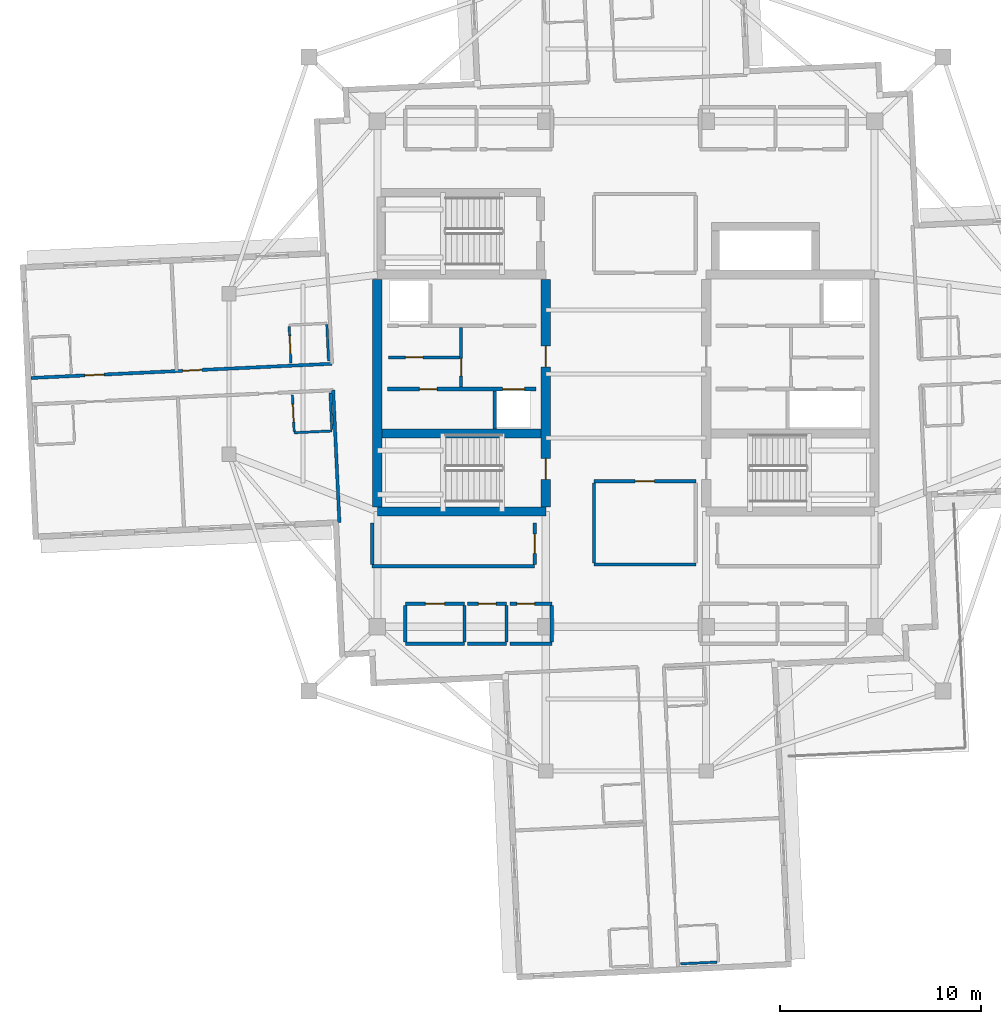
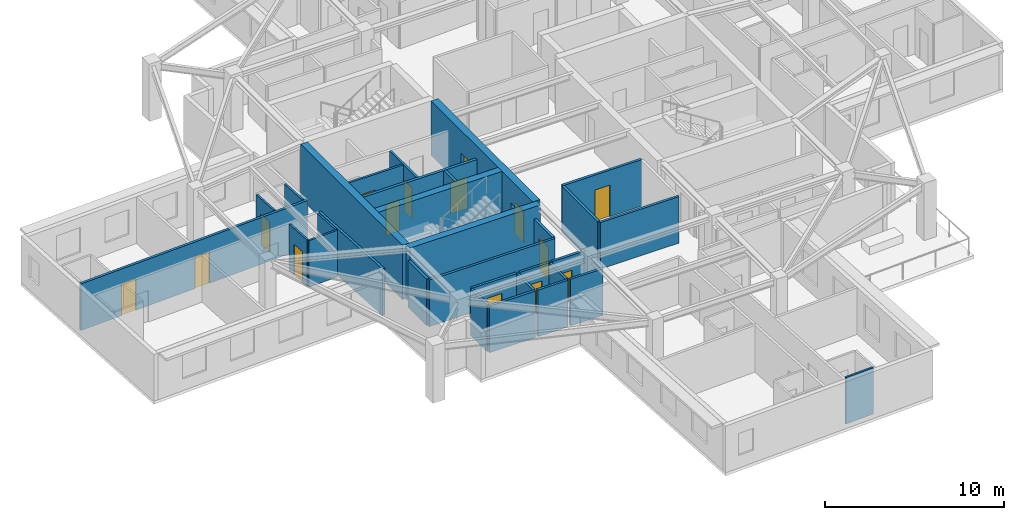
# One storey, part 4 of 13: 32 walls, 15 doors, 15 openings.
"""IFC4 building model written with IfcOpenShell, lengths in metres."""

import ifcopenshell
import ifcopenshell.guid

model = None  # the IFC model being written
_history = None  # IfcOwnerHistory: only IFC2X3 demands one
_inside = {}  # id of a spatial element -> (the spatial element, [elements in it])
_under = {}  # id of a project, library or spatial element -> (it, [spatial elements below it])
_declared = {}  # id of a project -> (the project, [libraries it declares])
_typed = {}  # id of a type object -> (the type object, [elements of that type])
_made_of = {}  # id of a material, layer set ... -> (it, [elements and type objects made of it])


def new_model(schema):
    """Start an empty IFC model of exactly this schema.

    Asked for "IFC4X3", IfcOpenShell would pick the latest addendum, in which some entities
    have other attributes; the version numbers below select the first issue.
    IFC2X3 requires an IfcOwnerHistory on every rooted entity: one is made here for all.
    """
    global model, _history
    if schema == "IFC4X3":
        model = ifcopenshell.file(schema_version=(4, 3, 0, 0))
    else:
        model = ifcopenshell.file(schema=schema)
    _inside.clear()
    _under.clear()
    _declared.clear()
    _typed.clear()
    _made_of.clear()
    _history = None
    if model.schema == "IFC2X3":
        org = make("IfcOrganization", Name="unknown")
        user = make(
            "IfcPersonAndOrganization",
            ThePerson=make("IfcPerson", FamilyName="unknown"),
            TheOrganization=org,
        )
        app = make(
            "IfcApplication",
            ApplicationDeveloper=org,
            Version="unknown",
            ApplicationFullName="unknown",
            ApplicationIdentifier="unknown",
        )
        _history = make(
            "IfcOwnerHistory",
            OwningUser=user,
            OwningApplication=app,
            ChangeAction="ADDED",
            CreationDate=0,
        )
    return model


def make(cls, **values):
    """One entity of the class cls with the attributes given. An attribute that is None is left unset."""
    return model.create_entity(
        cls, **{name: value for name, value in values.items() if value is not None}
    )


def rooted(cls, **values):
    """An entity with a GlobalId (a new one), such as an element, a storey or a relation."""
    return make(cls, GlobalId=ifcopenshell.guid.new(), OwnerHistory=_history, **values)


def si_unit(unit_type, name, prefix=None):
    """IfcSIUnit, for example si_unit("LENGTHUNIT", "METRE", prefix="MILLI")."""
    return make("IfcSIUnit", UnitType=unit_type, Prefix=prefix, Name=name)


def assignment(units):
    """IfcUnitAssignment: the units of a project."""
    return None if units is None else make("IfcUnitAssignment", Units=units)


def point(xyz):
    """IfcCartesianPoint."""
    return None if xyz is None else make("IfcCartesianPoint", Coordinates=xyz)


def direction(xyz):
    """IfcDirection."""
    return None if xyz is None else make("IfcDirection", DirectionRatios=xyz)


def frame(location, z_axis=None, x_axis=None):
    """IfcAxis2Placement3D, a coordinate frame: its origin and axes. An axis left out is left unset."""
    return make(
        "IfcAxis2Placement3D",
        Location=point(location),
        Axis=direction(z_axis),
        RefDirection=direction(x_axis),
    )


def frame_2d(location, x_axis=None):
    """IfcAxis2Placement2D, a coordinate frame in the plane: its origin and x axis."""
    return make(
        "IfcAxis2Placement2D", Location=point(location), RefDirection=direction(x_axis)
    )


def origin():
    """The frame at (0, 0, 0) with its axes left unset."""
    return frame((0.0, 0.0, 0.0))


def place(relative_to, where):
    """IfcLocalPlacement: puts the frame where relative to a parent placement (None: the world)."""
    return make(
        "IfcLocalPlacement", PlacementRelTo=relative_to, RelativePlacement=where
    )


def context(
    kind, dimensions, precision=None, world=None, true_north=None, identifier=None
):
    """IfcGeometricRepresentationContext, for example the 3D "Model" context."""
    return make(
        "IfcGeometricRepresentationContext",
        ContextIdentifier=identifier,
        ContextType=kind,
        CoordinateSpaceDimension=dimensions,
        Precision=precision,
        WorldCoordinateSystem=world,
        TrueNorth=true_north,
    )


def subcontext(parent, identifier, kind, view, scale=None):
    """IfcGeometricRepresentationSubContext, for example "Body" below "Model"."""
    return make(
        "IfcGeometricRepresentationSubContext",
        ContextIdentifier=identifier,
        ContextType=kind,
        ParentContext=parent,
        TargetScale=scale,
        TargetView=view,
    )


def project(units=None, contexts=None):
    """IfcProject with its units and contexts."""
    return rooted(
        "IfcProject",
        Name="project",
        RepresentationContexts=contexts,
        UnitsInContext=assignment(units),
    )


def spatial(cls, under=None, at=None, **own):
    """A site, building, storey or space (cls), placed at a placement, below another one or the project."""
    s = rooted(cls, ObjectPlacement=at, **own)
    if under is not None:
        _under.setdefault(under.id(), (under, []))[1].append(s)
    return s


def profile(cls, at=None, kind="AREA", **sizes):
    """A parametric profile (cls). Its sizes go by their IFC names, for example OverallWidth=200.0."""
    return make(cls, ProfileType=kind, Position=at, **sizes)


def rectangle(**sizes):
    """IfcRectangleProfileDef."""
    return profile("IfcRectangleProfileDef", **sizes)


def extrude(swept, where, along, depth):
    """IfcExtrudedAreaSolid: the profile swept, set in the frame where, extruded along a direction by depth."""
    return make(
        "IfcExtrudedAreaSolid",
        SweptArea=swept,
        Position=where,
        ExtrudedDirection=direction(along),
        Depth=depth,
    )


def shape(context_of_items, identifier, shape_type, items):
    """IfcShapeRepresentation: the items that make up one representation, for example the "Body"."""
    return make(
        "IfcShapeRepresentation",
        ContextOfItems=context_of_items,
        RepresentationIdentifier=identifier,
        RepresentationType=shape_type,
        Items=items,
    )


def material(Name=None, Category=None):
    """IfcMaterial."""
    return make("IfcMaterial", Name=Name, Category=Category)


def layer(
    of_material, thickness, ventilated=None, Name=None, Category=None, Priority=None
):
    """IfcMaterialLayer: one layer of a wall or slab, of a material (None: an air gap)."""
    return make(
        "IfcMaterialLayer",
        Material=of_material,
        LayerThickness=thickness,
        IsVentilated=ventilated,
        Name=Name,
        Category=Category,
        Priority=Priority,
    )


def layer_set(layers, Name=None):
    """IfcMaterialLayerSet."""
    return make("IfcMaterialLayerSet", MaterialLayers=layers, LayerSetName=Name)


def made_of(thing, what):
    """Note that an element or type object is made of a material, layer set ...; save() writes the relation."""
    if what is not None:
        _made_of.setdefault(what.id(), (what, []))[1].append(thing)
    return thing


def type_object(cls, material=None, **own):
    """A type object (cls), such as IfcWallType, which elements share."""
    return made_of(rooted(cls, **own), material)


def element(
    cls,
    number,
    at=None,
    inside=None,
    cuts=None,
    type_object=None,
    material=None,
    context=None,
    identifier="Body",
    shape_type=None,
    held_by="IfcProductDefinitionShape",
    body=None,
    shapes=None,
    **own,
):
    """One element of the class cls, such as IfcWall. Its Tag is "e" and its number.

    at: its placement. inside: the storey or other place that contains it. cuts: it is an
    opening in that element (IfcRelVoidsElement). A single representation is given by context,
    identifier, shape_type and body (its items); several are given by shapes. held_by: the class
    of the entity that holds the representations. save() writes the other relations.
    """
    e = rooted(cls, Tag="e%d" % number, ObjectPlacement=at, **own)
    if body is not None:
        shapes = [shape(context, identifier, shape_type, body)]
    if shapes is not None:
        e.Representation = make(held_by, Representations=shapes)
    if inside is not None:
        _inside.setdefault(inside.id(), (inside, []))[1].append(e)
    if cuts is not None:
        rooted(
            "IfcRelVoidsElement", RelatingBuildingElement=cuts, RelatedOpeningElement=e
        )
    if type_object is not None:
        _typed.setdefault(type_object.id(), (type_object, []))[1].append(e)
    return made_of(e, material)


def fill(opening, filler):
    """IfcRelFillsElement: the door or window that sits in an opening."""
    return rooted(
        "IfcRelFillsElement",
        RelatingOpeningElement=opening,
        RelatedBuildingElement=filler,
    )


def aggregate(whole, parts):
    """IfcRelAggregates: a whole, such as a stair, and the parts it consists of."""
    return rooted("IfcRelAggregates", RelatingObject=whole, RelatedObjects=parts)


def save(model, path):
    """Write the relations noted so far, then the file.

    IfcRelAggregates (storeys below a building ...), IfcRelContainedInSpatialStructure (elements
    in a storey), IfcRelDefinesByType, IfcRelAssociatesMaterial and IfcRelDeclares: one each for
    every whole, place, type object, material and project.
    """
    for whole, parts in _under.values():
        aggregate(whole, parts)
    for where, things in _inside.values():
        rooted(
            "IfcRelContainedInSpatialStructure",
            RelatedElements=things,
            RelatingStructure=where,
        )
    for kind, things in _typed.values():
        rooted("IfcRelDefinesByType", RelatedObjects=things, RelatingType=kind)
    for what, things in _made_of.values():
        rooted("IfcRelAssociatesMaterial", RelatedObjects=things, RelatingMaterial=what)
    for by, libraries in _declared.values():
        rooted("IfcRelDeclares", RelatingContext=by, RelatedDefinitions=libraries)
    model.write(path)


model = new_model("IFC4")

# Units and contexts
model_context = context("Model", 3, precision=1e-05, world=origin(), true_north=direction((0.0, 1.0)))
body_context = subcontext(model_context, "Body", "Model", "MODEL_VIEW")
ifc_project = project(units=[si_unit("LENGTHUNIT", "METRE"), si_unit("AREAUNIT", "SQUARE_METRE"), si_unit("VOLUMEUNIT", "CUBIC_METRE"), si_unit("PLANEANGLEUNIT", "RADIAN"), si_unit("MASSUNIT", "GRAM", prefix="KILO")], contexts=[model_context])

# Site, building, storey
site_placement = place(None, origin())
site = spatial("IfcSite", under=ifc_project, at=site_placement, CompositionType="ELEMENT")
building_placement = place(site_placement, origin())
building = spatial("IfcBuilding", under=site, at=building_placement, Name="Qingluan Cross Belvedere", CompositionType="ELEMENT")
storey_placement = place(building_placement, frame((0.0, 0.0, 277.199951171875)))
storey = spatial("IfcBuildingStorey", under=building, at=storey_placement, Name="L69", CompositionType="ELEMENT", Elevation=277.199951171875)

# Walls
ifc_material_1 = material(Name="Concrete C50", Category="concrete")
ifc_layer_1 = layer(ifc_material_1, 0.449951171875, Name="CoreShearWall_450")
ifc_layer_set_1 = layer_set([ifc_layer_1], Name="Concrete C50")
wall_type_1 = type_object("IfcWallType", Name="CoreShearWall_450", PredefinedType="SHEAR", material=ifc_layer_set_1)
wall_1_placement = place(storey_placement, frame((-12.39990234375, -6.85009765625, 0.0), z_axis=(0.0, 0.0, 1.0), x_axis=(1.0, 0.0, 0.0)))
element("IfcWall", 1, at=wall_1_placement, inside=storey, type_object=wall_type_1, Name="Split core W shear wall L69-S", PredefinedType="SHEAR", context=body_context, shape_type="SweptSolid", body=[
    extrude(rectangle(XDim=8.39990234375, YDim=0.449951171875, at=frame_2d((4.199951171875, 0.0))), origin(), (0.0, 0.0, 1.0), 3.699951171875),
])
wall_2_placement = place(storey_placement, frame((-12.39990234375, -6.6201171875, 0.0), z_axis=(0.0, 0.0, 1.0), x_axis=(0.0, 1.0, 0.0)))
element("IfcWall", 2, at=wall_2_placement, inside=storey, type_object=wall_type_1, Name="Split core W shear wall L69-W", PredefinedType="SHEAR", context=body_context, shape_type="SweptSolid", body=[
    extrude(rectangle(XDim=11.340087890625, YDim=0.449951171875, at=frame_2d((5.669921875, 0.0))), origin(), (0.0, 0.0, 1.0), 3.699951171875),
])

# Wall, openings, doors
wall_3_placement = place(storey_placement, frame((-4.0, -6.6201171875, 0.0), z_axis=(0.0, 0.0, 1.0), x_axis=(0.0, 1.0, 0.0)))
wall_3 = element("IfcWall", 3, at=wall_3_placement, inside=storey, type_object=wall_type_1, Name="Split core W shear wall L69-E", PredefinedType="SHEAR", context=body_context, shape_type="SweptSolid", body=[
    extrude(rectangle(XDim=11.340087890625, YDim=0.449951171875, at=frame_2d((5.669921875, 0.0))), origin(), (0.0, 0.0, 1.0), 3.699951171875),
])
opening_1_placement = place(wall_3_placement, frame((1.3701171875, 0.0, 0.0)))
opening_1 = element("IfcOpeningElement", 4, at=opening_1_placement, cuts=wall_3, Name="Opening FD-B11", PredefinedType="OPENING", context=body_context, shape_type="SweptSolid", body=[
    extrude(rectangle(XDim=1.050048828125, YDim=2.14990234375, at=frame_2d((0.52490234375, 1.074951171875))), frame((0.0, 0.23486328125, 0.0), z_axis=(0.0, -1.0, 0.0), x_axis=(1.0, 0.0, 0.0)), (0.0, 0.0, 1.0), 0.469970703125),
])
opening_2_placement = place(wall_3_placement, frame((6.969970703125, 0.0, 0.0)))
opening_2 = element("IfcOpeningElement", 5, at=opening_2_placement, cuts=wall_3, Name="Opening FD-B11", PredefinedType="OPENING", context=body_context, shape_type="SweptSolid", body=[
    extrude(rectangle(XDim=1.050048828125, YDim=2.14990234375, at=frame_2d((0.52490234375, 1.074951171875))), frame((0.0, 0.23486328125, 0.0), z_axis=(0.0, -1.0, 0.0), x_axis=(1.0, 0.0, 0.0)), (0.0, 0.0, 1.0), 0.469970703125),
])
ifc_material_2 = material(Name="Steel Class B smoke-seal fire door", Category="steel")
door_type_1 = type_object("IfcDoorType", Name="StairLobbyFireDoor_FDB", OperationType="NOTDEFINED", PredefinedType="DOOR", material=ifc_material_2)
door_1_placement = place(opening_1_placement, origin())
door_1 = element("IfcDoor", 6, at=door_1_placement, inside=storey, type_object=door_type_1, Name="Smoke-proof stair ST1 fire door L69", OperationType="SINGLE_SWING_LEFT", OverallHeight=2.14990234375, OverallWidth=1.050048828125, PredefinedType="DOOR", context=body_context, shape_type="SweptSolid", body=[
    extrude(rectangle(XDim=1.050048828125, YDim=2.14990234375, at=frame_2d((0.52490234375, 1.074951171875))), frame((0.0, 0.02490234375, 0.0), z_axis=(0.0, -1.0, 0.0), x_axis=(1.0, 0.0, 0.0)), (0.0, 0.0, 1.0), 0.050048828125),
])
fill(opening_1, door_1)
door_2_placement = place(opening_2_placement, origin())
door_2 = element("IfcDoor", 7, at=door_2_placement, inside=storey, type_object=door_type_1, Name="Firefighting lobby West fire door L69", OperationType="SINGLE_SWING_LEFT", OverallHeight=2.14990234375, OverallWidth=1.050048828125, PredefinedType="DOOR", context=body_context, shape_type="SweptSolid", body=[
    extrude(rectangle(XDim=1.050048828125, YDim=2.14990234375, at=frame_2d((0.52490234375, 1.074951171875))), frame((0.0, 0.02490234375, 0.0), z_axis=(0.0, -1.0, 0.0), x_axis=(1.0, 0.0, 0.0)), (0.0, 0.0, 1.0), 0.050048828125),
])
fill(opening_2, door_2)

# Wall
wall_4_placement = place(storey_placement, frame((-12.169921875, -2.9599609375, 0.0), z_axis=(0.0, 0.0, 1.0), x_axis=(1.0, 0.0, 0.0)))
element("IfcWall", 8, at=wall_4_placement, inside=storey, type_object=wall_type_1, Name="Split core W shear wall L69-M", PredefinedType="SHEAR", context=body_context, shape_type="SweptSolid", body=[
    extrude(rectangle(XDim=7.93994140625, YDim=0.449951171875, at=frame_2d((3.969970703125, 0.0))), origin(), (0.0, 0.0, 1.0), 3.699951171875),
])

# Wall, opening, door
ifc_material_3 = material(Name="Gypsum plasterboard on steel stud acoustic partition", Category="steel")
ifc_layer_2 = layer(ifc_material_3, 0.159912109375, Name="CorridorPartition_160")
ifc_layer_set_2 = layer_set([ifc_layer_2], Name="Gypsum plasterboard on steel stud acoustic partition")
wall_type_2 = type_object("IfcWallType", Name="CorridorPartition_160", PredefinedType="PARTITIONING", material=ifc_layer_set_2)
wall_5_placement = place(storey_placement, frame((-11.85009765625, 0.830078125, 0.0), z_axis=(0.0, 0.0, 1.0), x_axis=(1.0, 0.0, 0.0)))
wall_5 = element("IfcWall", 9, at=wall_5_placement, inside=storey, type_object=wall_type_2, Name="Partition L69:w", PredefinedType="PARTITIONING", context=body_context, shape_type="SweptSolid", body=[
    extrude(rectangle(XDim=3.552001953125, YDim=0.139892578125, at=frame_2d((1.77587890625, 0.0))), origin(), (0.0, 0.0, 1.0), 3.170166015625),
])
opening_3_placement = place(wall_5_placement, frame((0.85009765625, 0.0, 0.0)))
opening_3 = element("IfcOpeningElement", 10, at=opening_3_placement, cuts=wall_5, Name="Opening FD-B10", PredefinedType="OPENING", context=body_context, shape_type="SweptSolid", body=[
    extrude(rectangle(XDim=0.8798828125, YDim=2.10009765625, at=frame_2d((0.43994140625, 1.050048828125))), frame((0.0, 0.079833984375, 0.0), z_axis=(0.0, -1.0, 0.0), x_axis=(1.0, 0.0, 0.0)), (0.0, 0.0, 1.0), 0.159912109375),
])
ifc_material_4 = material(Name="Steel Class B service fire door", Category="steel")
door_type_2 = type_object("IfcDoorType", Name="RiserServiceFireDoor_FDB", OperationType="NOTDEFINED", PredefinedType="DOOR", material=ifc_material_4)
door_3_placement = place(opening_3_placement, origin())
door_3 = element("IfcDoor", 11, at=door_3_placement, inside=storey, type_object=door_type_2, Name="Service closet inner door L69", OperationType="SINGLE_SWING_RIGHT", OverallHeight=2.10009765625, OverallWidth=0.8798828125, PredefinedType="DOOR", context=body_context, shape_type="SweptSolid", body=[
    extrude(rectangle(XDim=0.8798828125, YDim=2.10009765625, at=frame_2d((0.43994140625, 1.050048828125))), frame((0.0, 0.02490234375, 0.0), z_axis=(0.0, -1.0, 0.0), x_axis=(1.0, 0.0, 0.0)), (0.0, 0.0, 1.0), 0.050048828125),
])
fill(opening_3, door_3)

# Wall
wall_6_placement = place(storey_placement, frame((-11.0, -13.449951171875, 0.0), z_axis=(0.0, 0.0, 1.0), x_axis=(1.0, 0.0, 0.0)))
element("IfcWall", 12, at=wall_6_placement, inside=storey, type_object=wall_type_2, Name="Partition L69:q_sw_occ:S", PredefinedType="PARTITIONING", context=body_context, shape_type="SweptSolid", body=[
    extrude(rectangle(XDim=2.949951171875, YDim=0.159912109375, at=frame_2d((1.47509765625, 0.0))), origin(), (0.0, 0.0, 1.0), 3.170166015625),
])

# Wall, opening, door
wall_7_placement = place(storey_placement, frame((-11.0, -11.449951171875, 0.0), z_axis=(0.0, 0.0, 1.0), x_axis=(1.0, 0.0, 0.0)))
wall_7 = element("IfcWall", 13, at=wall_7_placement, inside=storey, type_object=wall_type_2, Name="Partition L69:q_sw_occ:N", PredefinedType="PARTITIONING", context=body_context, shape_type="SweptSolid", body=[
    extrude(rectangle(XDim=2.949951171875, YDim=0.159912109375, at=frame_2d((1.47509765625, 0.0))), origin(), (0.0, 0.0, 1.0), 3.170166015625),
])
opening_4_placement = place(wall_7_placement, frame((0.9951171875, 0.0, 0.0)))
opening_4 = element("IfcOpeningElement", 14, at=opening_4_placement, cuts=wall_7, Name="Opening GD-10", PredefinedType="OPENING", context=body_context, shape_type="SweptSolid", body=[
    extrude(rectangle(XDim=0.9599609375, YDim=2.14990234375, at=frame_2d((0.47998046875, 1.074951171875))), frame((0.0, 0.08984375, 0.0), z_axis=(0.0, -1.0, 0.0), x_axis=(1.0, 0.0, 0.0)), (0.0, 0.0, 1.0), 0.179931640625),
])
ifc_material_5 = material(Name="Timber oak fire-rated acoustic guestroom door", Category="wood")
door_type_3 = type_object("IfcDoorType", Name="GuestEntryDoor_FD60", OperationType="NOTDEFINED", PredefinedType="DOOR", material=ifc_material_5)
door_4_placement = place(opening_4_placement, origin())
door_4 = element("IfcDoor", 15, at=door_4_placement, inside=storey, type_object=door_type_3, Name="Astronomy study room L69 door", OperationType="SINGLE_SWING_RIGHT", OverallHeight=2.14990234375, OverallWidth=0.9599609375, PredefinedType="DOOR", context=body_context, shape_type="SweptSolid", body=[
    extrude(rectangle(XDim=0.9599609375, YDim=2.14990234375, at=frame_2d((0.47998046875, 1.074951171875))), frame((0.0, 0.02490234375, 0.0), z_axis=(0.0, -1.0, 0.0), x_axis=(1.0, 0.0, 0.0)), (0.0, 0.0, 1.0), 0.050048828125),
])
fill(opening_4, door_4)

# Walls
for number, where, z_axis, x_axis, name in (
    (16, (-11.0, -13.364990234375, 0.0), (0.0, 0.0, 1.0), (0.0, 1.0, 0.0), "Partition L69:q_sw_occ:W"),
    (17, (-8.050048828125, -13.364990234375, 0.0), (0.0, 0.0, 1.0), (0.0, 1.0, 0.0), "Partition L69:q_sw_occ:E"),
):
    element("IfcWall", number, at=place(storey_placement, frame(where, z_axis=z_axis, x_axis=x_axis)), inside=storey, type_object=wall_type_2, Name=name, PredefinedType="PARTITIONING", context=body_context, shape_type="SweptSolid", body=[
        extrude(rectangle(XDim=1.830078125, YDim=0.159912109375, at=frame_2d((0.9150390625, 0.0))), origin(), (0.0, 0.0, 1.0), 3.170166015625),
    ])
wall_8_placement = place(storey_placement, frame((-7.889892578125, -13.449951171875, 0.0), z_axis=(0.0, 0.0, 1.0), x_axis=(1.0, 0.0, 0.0)))
element("IfcWall", 18, at=wall_8_placement, inside=storey, type_object=wall_type_2, Name="Partition L69:hk_linen:S", PredefinedType="PARTITIONING", context=body_context, shape_type="SweptSolid", body=[
    extrude(rectangle(XDim=1.93994140625, YDim=0.159912109375, at=frame_2d((0.969970703125, 0.0))), origin(), (0.0, 0.0, 1.0), 3.170166015625),
])

# Wall, opening, door
wall_9_placement = place(storey_placement, frame((-7.889892578125, -11.449951171875, 0.0), z_axis=(0.0, 0.0, 1.0), x_axis=(1.0, 0.0, 0.0)))
wall_9 = element("IfcWall", 19, at=wall_9_placement, inside=storey, type_object=wall_type_2, Name="Partition L69:hk_linen:N", PredefinedType="PARTITIONING", context=body_context, shape_type="SweptSolid", body=[
    extrude(rectangle(XDim=1.93994140625, YDim=0.159912109375, at=frame_2d((0.969970703125, 0.0))), origin(), (0.0, 0.0, 1.0), 3.170166015625),
])
opening_5_placement = place(wall_9_placement, frame((0.530029296875, 0.0, 0.0)))
opening_5 = element("IfcOpeningElement", 20, at=opening_5_placement, cuts=wall_9, Name="Opening FD-B10", PredefinedType="OPENING", context=body_context, shape_type="SweptSolid", body=[
    extrude(rectangle(XDim=0.8798828125, YDim=2.10009765625, at=frame_2d((0.43994140625, 1.050048828125))), frame((0.0, 0.08984375, 0.0), z_axis=(0.0, -1.0, 0.0), x_axis=(1.0, 0.0, 0.0)), (0.0, 0.0, 1.0), 0.179931640625),
])
door_5_placement = place(opening_5_placement, origin())
door_5 = element("IfcDoor", 21, at=door_5_placement, inside=storey, type_object=door_type_2, Name="Housekeeping and linen store L69 door", OperationType="SINGLE_SWING_LEFT", OverallHeight=2.10009765625, OverallWidth=0.8798828125, PredefinedType="DOOR", context=body_context, shape_type="SweptSolid", body=[
    extrude(rectangle(XDim=0.8798828125, YDim=2.10009765625, at=frame_2d((0.43994140625, 1.050048828125))), frame((0.0, 0.02490234375, 0.0), z_axis=(0.0, -1.0, 0.0), x_axis=(1.0, 0.0, 0.0)), (0.0, 0.0, 1.0), 0.050048828125),
])
fill(opening_5, door_5)

# Walls
wall_10_placement = place(storey_placement, frame((-5.949951171875, -13.364990234375, 0.0), z_axis=(0.0, 0.0, 1.0), x_axis=(0.0, 1.0, 0.0)))
element("IfcWall", 22, at=wall_10_placement, inside=storey, type_object=wall_type_2, Name="Partition L69:hk_linen:E", PredefinedType="PARTITIONING", context=body_context, shape_type="SweptSolid", body=[
    extrude(rectangle(XDim=1.830078125, YDim=0.159912109375, at=frame_2d((0.9150390625, 0.0))), origin(), (0.0, 0.0, 1.0), 3.170166015625),
])
wall_11_placement = place(storey_placement, frame((-5.7900390625, -13.449951171875, 0.0), z_axis=(0.0, 0.0, 1.0), x_axis=(1.0, 0.0, 0.0)))
element("IfcWall", 23, at=wall_11_placement, inside=storey, type_object=wall_type_2, Name="Partition L69:floor_acc_wc:S", PredefinedType="PARTITIONING", context=body_context, shape_type="SweptSolid", body=[
    extrude(rectangle(XDim=2.090087890625, YDim=0.159912109375, at=frame_2d((1.044921875, 0.0))), origin(), (0.0, 0.0, 1.0), 3.170166015625),
])

# Wall, opening, door
wall_12_placement = place(storey_placement, frame((-5.7900390625, -11.449951171875, 0.0), z_axis=(0.0, 0.0, 1.0), x_axis=(1.0, 0.0, 0.0)))
wall_12 = element("IfcWall", 24, at=wall_12_placement, inside=storey, type_object=wall_type_2, Name="Partition L69:floor_acc_wc:N", PredefinedType="PARTITIONING", context=body_context, shape_type="SweptSolid", body=[
    extrude(rectangle(XDim=2.090087890625, YDim=0.159912109375, at=frame_2d((1.044921875, 0.0))), origin(), (0.0, 0.0, 1.0), 3.170166015625),
])
opening_6_placement = place(wall_12_placement, frame((0.35009765625, 0.0, 0.0)))
opening_6 = element("IfcOpeningElement", 25, at=opening_6_placement, cuts=wall_12, Name="Opening BD-08", PredefinedType="OPENING", context=body_context, shape_type="SweptSolid", body=[
    extrude(rectangle(XDim=0.8798828125, YDim=2.14990234375, at=frame_2d((0.43994140625, 1.074951171875))), frame((0.0, 0.08984375, 0.0), z_axis=(0.0, -1.0, 0.0), x_axis=(1.0, 0.0, 0.0)), (0.0, 0.0, 1.0), 0.179931640625),
])
ifc_material_6 = material(Name="Moisture-sealed timber accessible WC door", Category="wood")
door_type_4 = type_object("IfcDoorType", Name="AccessibleWCDoor_880", OperationType="NOTDEFINED", PredefinedType="DOOR", material=ifc_material_6)
door_6_placement = place(opening_6_placement, origin())
door_6 = element("IfcDoor", 26, at=door_6_placement, inside=storey, type_object=door_type_4, Name="Accessible guest washroom L69 door", OperationType="SINGLE_SWING_RIGHT", OverallHeight=2.14990234375, OverallWidth=0.8798828125, PredefinedType="DOOR", context=body_context, shape_type="SweptSolid", body=[
    extrude(rectangle(XDim=0.8798828125, YDim=2.14990234375, at=frame_2d((0.43994140625, 1.074951171875))), frame((0.0, 0.02490234375, 0.0), z_axis=(0.0, -1.0, 0.0), x_axis=(1.0, 0.0, 0.0)), (0.0, 0.0, 1.0), 0.050048828125),
])
fill(opening_6, door_6)

# Walls
wall_13_placement = place(storey_placement, frame((-3.699951171875, -13.364990234375, 0.0), z_axis=(0.0, 0.0, 1.0), x_axis=(0.0, 1.0, 0.0)))
element("IfcWall", 27, at=wall_13_placement, inside=storey, type_object=wall_type_2, Name="Partition L69:floor_acc_wc:E", PredefinedType="PARTITIONING", context=body_context, shape_type="SweptSolid", body=[
    extrude(rectangle(XDim=1.830078125, YDim=0.159912109375, at=frame_2d((0.9150390625, 0.0))), origin(), (0.0, 0.0, 1.0), 3.170166015625),
])
wall_14_placement = place(storey_placement, frame((-1.60009765625, -9.5, 0.0), z_axis=(0.0, 0.0, 1.0), x_axis=(1.0, 0.0, 0.0)))
element("IfcWall", 28, at=wall_14_placement, inside=storey, type_object=wall_type_2, Name="Partition L69:sky_south_alcove:S", PredefinedType="PARTITIONING", context=body_context, shape_type="SweptSolid", body=[
    extrude(rectangle(XDim=5.080078125, YDim=0.159912109375, at=frame_2d((2.5400390625, 0.0))), origin(), (0.0, 0.0, 1.0), 3.170166015625),
])

# Wall, opening, door
wall_15_placement = place(storey_placement, frame((-1.60009765625, -5.35009765625, 0.0), z_axis=(0.0, 0.0, 1.0), x_axis=(1.0, 0.0, 0.0)))
wall_15 = element("IfcWall", 29, at=wall_15_placement, inside=storey, type_object=wall_type_2, Name="Partition L69:sky_south_alcove:N", PredefinedType="PARTITIONING", context=body_context, shape_type="SweptSolid", body=[
    extrude(rectangle(XDim=5.080078125, YDim=0.159912109375, at=frame_2d((2.5400390625, 0.0))), origin(), (0.0, 0.0, 1.0), 3.170166015625),
])
opening_7_placement = place(wall_15_placement, frame((2.06005859375, 0.0, 0.0)))
opening_7 = element("IfcOpeningElement", 30, at=opening_7_placement, cuts=wall_15, Name="Opening GD-10", PredefinedType="OPENING", context=body_context, shape_type="SweptSolid", body=[
    extrude(rectangle(XDim=0.9599609375, YDim=2.14990234375, at=frame_2d((0.47998046875, 1.074951171875))), frame((0.0, 0.08984375, 0.0), z_axis=(0.0, -1.0, 0.0), x_axis=(1.0, 0.0, 0.0)), (0.0, 0.0, 1.0), 0.179931640625),
])
door_7_placement = place(opening_7_placement, origin())
door_7 = element("IfcDoor", 31, at=door_7_placement, inside=storey, type_object=door_type_3, Name="South horizon reading alcove L69 door", OperationType="SINGLE_SWING_RIGHT", OverallHeight=2.14990234375, OverallWidth=0.9599609375, PredefinedType="DOOR", context=body_context, shape_type="SweptSolid", body=[
    extrude(rectangle(XDim=0.9599609375, YDim=2.14990234375, at=frame_2d((0.47998046875, 1.074951171875))), frame((0.0, 0.02490234375, 0.0), z_axis=(0.0, -1.0, 0.0), x_axis=(1.0, 0.0, 0.0)), (0.0, 0.0, 1.0), 0.050048828125),
])
fill(opening_7, door_7)

# Walls
wall_16_placement = place(storey_placement, frame((-1.60009765625, -9.4150390625, 0.0), z_axis=(0.0, 0.0, 1.0), x_axis=(0.0, 1.0, 0.0)))
element("IfcWall", 32, at=wall_16_placement, inside=storey, type_object=wall_type_2, Name="Partition L69:sky_south_alcove:W", PredefinedType="PARTITIONING", context=body_context, shape_type="SweptSolid", body=[
    extrude(rectangle(XDim=3.97998046875, YDim=0.159912109375, at=frame_2d((1.989990234375, 0.0))), origin(), (0.0, 0.0, 1.0), 3.170166015625),
])
wall_17_placement = place(storey_placement, frame((-12.64990234375, -9.580078125, 0.0), z_axis=(0.0, 0.0, 1.0), x_axis=(1.0, 0.0, 0.0)))
element("IfcWall", 33, at=wall_17_placement, inside=storey, type_object=wall_type_2, Name="Partition L69:rec_st4_w:S", PredefinedType="PARTITIONING", context=body_context, shape_type="SweptSolid", body=[
    extrude(rectangle(XDim=8.099853515625, YDim=0.159912109375, at=frame_2d((4.0498046875, 0.0))), origin(), (0.0, 0.0, 1.0), 3.170166015625),
])
wall_18_placement = place(storey_placement, frame((-12.64990234375, -9.4951171875, 0.0), z_axis=(0.0, 0.0, 1.0), x_axis=(0.0, 1.0, 0.0)))
element("IfcWall", 34, at=wall_18_placement, inside=storey, type_object=wall_type_2, Name="Partition L69:rec_st4_w:W", PredefinedType="PARTITIONING", context=body_context, shape_type="SweptSolid", body=[
    extrude(rectangle(XDim=2.06005859375, YDim=0.159912109375, at=frame_2d((1.030029296875, 0.0))), origin(), (0.0, 0.0, 1.0), 3.170166015625),
])

# Wall, opening, door
wall_19_placement = place(storey_placement, frame((-4.550048828125, -9.4951171875, 0.0), z_axis=(0.0, 0.0, 1.0), x_axis=(0.0, 1.0, 0.0)))
wall_19 = element("IfcWall", 35, at=wall_19_placement, inside=storey, type_object=wall_type_2, Name="Partition L69:rec_st4_w:E", PredefinedType="PARTITIONING", context=body_context, shape_type="SweptSolid", body=[
    extrude(rectangle(XDim=2.06005859375, YDim=0.159912109375, at=frame_2d((1.030029296875, 0.0))), origin(), (0.0, 0.0, 1.0), 3.170166015625),
])
opening_8_placement = place(wall_19_placement, frame((0.550048828125, 0.0, 0.0)))
opening_8 = element("IfcOpeningElement", 36, at=opening_8_placement, cuts=wall_19, Name="Opening GD-10", PredefinedType="OPENING", context=body_context, shape_type="SweptSolid", body=[
    extrude(rectangle(XDim=0.9599609375, YDim=2.14990234375, at=frame_2d((0.47998046875, 1.074951171875))), frame((0.0, 0.08984375, 0.0), z_axis=(0.0, -1.0, 0.0), x_axis=(1.0, 0.0, 0.0)), (0.0, 0.0, 1.0), 0.179931640625),
])
door_8_placement = place(opening_8_placement, origin())
door_8 = element("IfcDoor", 37, at=door_8_placement, inside=storey, type_object=door_type_3, Name="Southwest club reading room L69 door", OperationType="SINGLE_SWING_RIGHT", OverallHeight=2.14990234375, OverallWidth=0.9599609375, PredefinedType="DOOR", context=body_context, shape_type="SweptSolid", body=[
    extrude(rectangle(XDim=0.9599609375, YDim=2.14990234375, at=frame_2d((0.47998046875, 1.074951171875))), frame((0.0, 0.02490234375, 0.0), z_axis=(0.0, -1.0, 0.0), x_axis=(1.0, 0.0, 0.0)), (0.0, 0.0, 1.0), 0.050048828125),
])
fill(opening_8, door_8)

# Wall, openings, doors
wall_20_placement = place(storey_placement, frame((-14.660400390625, 0.510009765625, 0.0), z_axis=(0.0, 0.0, 1.0), x_axis=(-0.998889487459, -0.047114666968, 0.0)))
wall_20 = element("IfcWall", 38, at=wall_20_placement, inside=storey, type_object=wall_type_2, Name="Partition L69:W:c0", PredefinedType="PARTITIONING", context=body_context, shape_type="SweptSolid", body=[
    extrude(rectangle(XDim=15.01171875, YDim=0.159912109375, at=frame_2d((7.505859375, 0.0))), origin(), (0.0, 0.0, 1.0), 3.170166015625),
])
opening_9_placement = place(wall_20_placement, frame((6.489990234375, 0.0, 0.0)))
opening_9 = element("IfcOpeningElement", 39, at=opening_9_placement, cuts=wall_20, Name="Opening GD-10", PredefinedType="OPENING", context=body_context, shape_type="SweptSolid", body=[
    extrude(rectangle(XDim=0.9599609375, YDim=2.14990234375, at=frame_2d((0.47998046875, 1.074951171875))), frame((0.0, 0.08984375, 0.0), z_axis=(0.0, -1.0, 0.0), x_axis=(1.0, 0.0, 0.0)), (0.0, 0.0, 1.0), 0.179931640625),
])
opening_10_placement = place(wall_20_placement, frame((11.37109375, 0.0, 0.0)))
opening_10 = element("IfcOpeningElement", 40, at=opening_10_placement, cuts=wall_20, Name="Opening GD-10", PredefinedType="OPENING", context=body_context, shape_type="SweptSolid", body=[
    extrude(rectangle(XDim=0.9599609375, YDim=2.14990234375, at=frame_2d((0.47998046875, 1.074951171875))), frame((0.0, 0.08984375, 0.0), z_axis=(0.0, -1.0, 0.0), x_axis=(1.0, 0.0, 0.0)), (0.0, 0.0, 1.0), 0.179931640625),
])
door_9_placement = place(opening_9_placement, origin())
door_9 = element("IfcDoor", 41, at=door_9_placement, inside=storey, type_object=door_type_3, Name="Guest entry fire door 6905", OperationType="SINGLE_SWING_LEFT", OverallHeight=2.14990234375, OverallWidth=0.9599609375, PredefinedType="DOOR", context=body_context, shape_type="SweptSolid", body=[
    extrude(rectangle(XDim=0.9599609375, YDim=2.14990234375, at=frame_2d((0.47998046875, 1.074951171875))), frame((0.0, 0.02490234375, 0.0), z_axis=(0.0, -1.0, 0.0), x_axis=(1.0, 0.0, 0.0)), (0.0, 0.0, 1.0), 0.050048828125),
])
fill(opening_9, door_9)
door_10_placement = place(opening_10_placement, origin())
door_10 = element("IfcDoor", 42, at=door_10_placement, inside=storey, type_object=door_type_3, Name="Guest entry fire door 6906", OperationType="SINGLE_SWING_LEFT", OverallHeight=2.14990234375, OverallWidth=0.9599609375, PredefinedType="DOOR", context=body_context, shape_type="SweptSolid", body=[
    extrude(rectangle(XDim=0.9599609375, YDim=2.14990234375, at=frame_2d((0.47998046875, 1.074951171875))), frame((0.0, 0.02490234375, 0.0), z_axis=(0.0, -1.0, 0.0), x_axis=(1.0, 0.0, 0.0)), (0.0, 0.0, 1.0), 0.050048828125),
])
fill(opening_10, door_10)

# Wall
wall_21_placement = place(storey_placement, frame((-14.59814453125, -0.80859375, 0.0), z_axis=(0.0, 0.0, 1.0), x_axis=(0.047127520444, -0.998888881116, 0.0)))
element("IfcWall", 43, at=wall_21_placement, inside=storey, type_object=wall_type_2, Name="Partition L69:W:s1", PredefinedType="PARTITIONING", context=body_context, shape_type="SweptSolid", body=[
    extrude(rectangle(XDim=6.599853515625, YDim=0.159912109375, at=frame_2d((3.2998046875, 0.0))), origin(), (0.0, 0.0, 1.0), 3.170166015625),
])

# Wall, opening, door
ifc_material_7 = material(Name="Moisture-resistant gypsum board lining")
ifc_layer_3 = layer(ifc_material_7, 0.1201171875, Name="EnsuiteWetPartition_120")
ifc_layer_set_3 = layer_set([ifc_layer_3], Name="Moisture-resistant gypsum board lining")
wall_type_3 = type_object("IfcWallType", Name="EnsuiteWetPartition_120", PredefinedType="PARTITIONING", material=ifc_layer_set_3)
wall_22_placement = place(storey_placement, frame((-16.70458984375, 0.5537109375, 0.0), z_axis=(0.0, 0.0, 1.0), x_axis=(-0.047087116047, 0.998890786574, 0.0)))
wall_22 = element("IfcWall", 44, at=wall_22_placement, inside=storey, type_object=wall_type_3, Name="Partition L69:W:bs0_0", PredefinedType="PARTITIONING", context=body_context, shape_type="SweptSolid", body=[
    extrude(rectangle(XDim=1.81982421875, YDim=0.1201171875, at=frame_2d((0.909912109375, 0.0))), origin(), (0.0, 0.0, 1.0), 3.170166015625),
])
opening_11_placement = place(wall_22_placement, frame((0.469970703125, 0.0, 0.0)))
opening_11 = element("IfcOpeningElement", 45, at=opening_11_placement, cuts=wall_22, Name="Opening BD-09", PredefinedType="OPENING", context=body_context, shape_type="SweptSolid", body=[
    extrude(rectangle(XDim=0.8798828125, YDim=2.10009765625, at=frame_2d((0.43994140625, 1.050048828125))), frame((0.0, 0.070068359375, 0.0), z_axis=(0.0, -1.0, 0.0), x_axis=(1.0, 0.0, 0.0)), (0.0, 0.0, 1.0), 0.14013671875),
])
ifc_material_8 = material(Name="Moisture-sealed timber en-suite door", Category="wood")
door_type_5 = type_object("IfcDoorType", Name="BathroomDoor_880", OperationType="NOTDEFINED", PredefinedType="DOOR", material=ifc_material_8)
door_11_placement = place(opening_11_placement, origin())
door_11 = element("IfcDoor", 46, at=door_11_placement, inside=storey, type_object=door_type_5, Name="Bathroom door 6905", OperationType="SINGLE_SWING_RIGHT", OverallHeight=2.10009765625, OverallWidth=0.8798828125, PredefinedType="DOOR", context=body_context, shape_type="SweptSolid", body=[
    extrude(rectangle(XDim=0.8798828125, YDim=2.10009765625, at=frame_2d((0.43994140625, 1.050048828125))), frame((0.0, 0.02490234375, 0.0), z_axis=(0.0, -1.0, 0.0), x_axis=(1.0, 0.0, 0.0)), (0.0, 0.0, 1.0), 0.050048828125),
])
fill(opening_11, door_11)

# Wall
wall_23_placement = place(storey_placement, frame((-14.82666015625, 0.642333984375, 0.0), z_axis=(0.0, 0.0, 1.0), x_axis=(-0.047087116047, 0.998890786574, 0.0)))
element("IfcWall", 47, at=wall_23_placement, inside=storey, type_object=wall_type_3, Name="Partition L69:W:bw0_0", PredefinedType="PARTITIONING", context=body_context, shape_type="SweptSolid", body=[
    extrude(rectangle(XDim=1.81982421875, YDim=0.1201171875, at=frame_2d((0.909912109375, 0.0))), origin(), (0.0, 0.0, 1.0), 3.170166015625),
])

# Wall, opening, door
wall_24_placement = place(storey_placement, frame((-16.54345703125, -2.862548828125, 0.0), z_axis=(0.0, 0.0, 1.0), x_axis=(-0.047214641863, 0.998884766924, 0.0)))
wall_24 = element("IfcWall", 48, at=wall_24_placement, inside=storey, type_object=wall_type_3, Name="Partition L69:W:bs1_0", PredefinedType="PARTITIONING", context=body_context, shape_type="SweptSolid", body=[
    extrude(rectangle(XDim=1.820068359375, YDim=0.1201171875, at=frame_2d((0.91015625, 0.0))), origin(), (0.0, 0.0, 1.0), 3.170166015625),
])
opening_12_placement = place(wall_24_placement, frame((0.469970703125, 0.0, 0.0)))
opening_12 = element("IfcOpeningElement", 49, at=opening_12_placement, cuts=wall_24, Name="Opening BD-09", PredefinedType="OPENING", context=body_context, shape_type="SweptSolid", body=[
    extrude(rectangle(XDim=0.8798828125, YDim=2.10009765625, at=frame_2d((0.43994140625, 1.050048828125))), frame((0.0, 0.070068359375, 0.0), z_axis=(0.0, -1.0, 0.0), x_axis=(1.0, 0.0, 0.0)), (0.0, 0.0, 1.0), 0.14013671875),
])
door_12_placement = place(opening_12_placement, origin())
door_12 = element("IfcDoor", 50, at=door_12_placement, inside=storey, type_object=door_type_5, Name="Bathroom door 6907", OperationType="SINGLE_SWING_RIGHT", OverallHeight=2.10009765625, OverallWidth=0.8798828125, PredefinedType="DOOR", context=body_context, shape_type="SweptSolid", body=[
    extrude(rectangle(XDim=0.8798828125, YDim=2.10009765625, at=frame_2d((0.43994140625, 1.050048828125))), frame((0.0, 0.02490234375, 0.0), z_axis=(0.0, -1.0, 0.0), x_axis=(1.0, 0.0, 0.0)), (0.0, 0.0, 1.0), 0.050048828125),
])
fill(opening_12, door_12)

# Walls
wall_25_placement = place(storey_placement, frame((-14.66552734375, -2.77392578125, 0.0), z_axis=(0.0, 0.0, 1.0), x_axis=(-0.047080807099, 0.998891083954, 0.0)))
element("IfcWall", 51, at=wall_25_placement, inside=storey, type_object=wall_type_3, Name="Partition L69:W:bw1_0", PredefinedType="PARTITIONING", context=body_context, shape_type="SweptSolid", body=[
    extrude(rectangle(XDim=1.820068359375, YDim=0.1201171875, at=frame_2d((0.91015625, 0.0))), origin(), (0.0, 0.0, 1.0), 3.170166015625),
])
wall_26_placement = place(storey_placement, frame((-14.66259765625, -2.8388671875, 0.0), z_axis=(0.0, 0.0, 1.0), x_axis=(-0.998888319371, -0.047139425368, 0.0)))
element("IfcWall", 52, at=wall_26_placement, inside=storey, type_object=wall_type_3, Name="Partition L69:W:bc1_0", PredefinedType="PARTITIONING", context=body_context, shape_type="SweptSolid", body=[
    extrude(rectangle(XDim=1.880126953125, YDim=0.1201171875, at=frame_2d((0.93994140625, 0.0))), origin(), (0.0, 0.0, 1.0), 3.170166015625),
])
wall_27_placement = place(storey_placement, frame((2.728271484375, -29.404052734375, 0.0), z_axis=(0.0, 0.0, 1.0), x_axis=(0.998890786574, 0.047087116047, 0.0)))
element("IfcWall", 53, at=wall_27_placement, inside=storey, type_object=wall_type_3, Name="Partition L69:S:bw0_1", PredefinedType="PARTITIONING", context=body_context, shape_type="SweptSolid", body=[
    extrude(rectangle(XDim=1.81982421875, YDim=0.1201171875, at=frame_2d((0.909912109375, 0.0))), origin(), (0.0, 0.0, 1.0), 3.170166015625),
])

# Wall, openings, doors
ifc_material_9 = material(Name="Concrete C40", Category="concrete")
ifc_layer_4 = layer(ifc_material_9, 0.219970703125, Name="ShaftEnclosureWall_250")
ifc_layer_set_4 = layer_set([ifc_layer_4], Name="Concrete C40")
wall_type_4 = type_object("IfcWallType", Name="ShaftEnclosureWall_250", PredefinedType="SOLIDWALL", material=ifc_layer_set_4)
wall_28_placement = place(storey_placement, frame((-11.89990234375, -0.75, 0.0), z_axis=(0.0, 0.0, 1.0), x_axis=(1.0, 0.0, 0.0)))
wall_28 = element("IfcWall", 54, at=wall_28_placement, inside=storey, type_object=wall_type_4, Name="Core-W mid hoistway wall L69", PredefinedType="SOLIDWALL", context=body_context, shape_type="SweptSolid", body=[
    extrude(rectangle(XDim=7.419921875, YDim=0.179931640625, at=frame_2d((3.7099609375, 0.0))), origin(), (0.0, 0.0, 1.0), 3.170166015625),
])
opening_13_placement = place(wall_28_placement, frame((5.75, 0.0, 0.0)))
opening_13 = element("IfcOpeningElement", 55, at=opening_13_placement, cuts=wall_28, Name="Opening LD-11", PredefinedType="OPENING", context=body_context, shape_type="SweptSolid", body=[
    extrude(rectangle(XDim=1.10009765625, YDim=2.14990234375, at=frame_2d((0.550048828125, 1.074951171875))), frame((0.0, 0.099853515625, 0.0), z_axis=(0.0, -1.0, 0.0), x_axis=(1.0, 0.0, 0.0)), (0.0, 0.0, 1.0), 0.199951171875),
])
opening_14_placement = place(wall_28_placement, frame((1.60009765625, 0.0, 0.0)))
opening_14 = element("IfcOpeningElement", 56, at=opening_14_placement, cuts=wall_28, Name="Opening FD-B10", PredefinedType="OPENING", context=body_context, shape_type="SweptSolid", body=[
    extrude(rectangle(XDim=0.8798828125, YDim=2.10009765625, at=frame_2d((0.43994140625, 1.050048828125))), frame((0.0, 0.099853515625, 0.0), z_axis=(0.0, -1.0, 0.0), x_axis=(1.0, 0.0, 0.0)), (0.0, 0.0, 1.0), 0.199951171875),
])
ifc_material_10 = material(Name="Brushed stainless steel centre-opening lift landing door", Category="steel")
door_type_6 = type_object("IfcDoorType", Name="LiftLandingSlidingDoor_1100", OperationType="DOUBLE_DOOR_SLIDING", PredefinedType="DOOR", material=ifc_material_10)
door_13_placement = place(opening_13_placement, origin())
door_13 = element("IfcDoor", 57, at=door_13_placement, inside=storey, type_object=door_type_6, Name="Lift landing sliding door LP8 L69", OperationType="DOUBLE_DOOR_SLIDING", OverallHeight=2.14990234375, OverallWidth=1.10009765625, PredefinedType="DOOR", context=body_context, shape_type="SweptSolid", body=[
    extrude(rectangle(XDim=1.10009765625, YDim=2.14990234375, at=frame_2d((0.550048828125, 1.074951171875))), frame((0.0, 0.02490234375, 0.0), z_axis=(0.0, -1.0, 0.0), x_axis=(1.0, 0.0, 0.0)), (0.0, 0.0, 1.0), 0.050048828125),
])
fill(opening_13, door_13)
door_14_placement = place(opening_14_placement, origin())
door_14 = element("IfcDoor", 58, at=door_14_placement, inside=storey, type_object=door_type_2, Name="Upper-zone electrical room door L69", OperationType="SINGLE_SWING_RIGHT", OverallHeight=2.10009765625, OverallWidth=0.8798828125, PredefinedType="DOOR", context=body_context, shape_type="SweptSolid", body=[
    extrude(rectangle(XDim=0.8798828125, YDim=2.10009765625, at=frame_2d((0.43994140625, 1.050048828125))), frame((0.0, 0.02490234375, 0.0), z_axis=(0.0, -1.0, 0.0), x_axis=(1.0, 0.0, 0.0)), (0.0, 0.0, 1.0), 0.050048828125),
])
fill(opening_14, door_14)

# Wall
wall_29_placement = place(storey_placement, frame((-6.5400390625, -2.72998046875, 0.0), z_axis=(0.0, 0.0, 1.0), x_axis=(0.0, 1.0, 0.0)))
element("IfcWall", 59, at=wall_29_placement, inside=storey, type_object=wall_type_4, Name="Hoistway enclosure divider LP8W L69", PredefinedType="SOLIDWALL", context=body_context, shape_type="SweptSolid", body=[
    extrude(rectangle(XDim=1.889892578125, YDim=0.179931640625, at=frame_2d((0.94482421875, 0.0))), origin(), (0.0, 0.0, 1.0), 3.170166015625),
])

# Wall, opening, door
wall_30_placement = place(storey_placement, frame((-8.219970703125, -0.64990234375, 0.0), z_axis=(0.0, 0.0, 1.0), x_axis=(0.0, 1.0, 0.0)))
wall_30 = element("IfcWall", 60, at=wall_30_placement, inside=storey, type_object=wall_type_4, Name="Core-W service corridor wall L69", PredefinedType="SOLIDWALL", context=body_context, shape_type="SweptSolid", body=[
    extrude(rectangle(XDim=2.9599609375, YDim=0.139892578125, at=frame_2d((1.47998046875, 0.0))), origin(), (0.0, 0.0, 1.0), 3.170166015625),
])
opening_15_placement = place(wall_30_placement, frame((0.550048828125, 0.0, 0.0)))
opening_15 = element("IfcOpeningElement", 61, at=opening_15_placement, cuts=wall_30, Name="Opening FD-B10", PredefinedType="OPENING", context=body_context, shape_type="SweptSolid", body=[
    extrude(rectangle(XDim=0.8798828125, YDim=2.10009765625, at=frame_2d((0.43994140625, 1.050048828125))), frame((0.0, 0.079833984375, 0.0), z_axis=(0.0, -1.0, 0.0), x_axis=(1.0, 0.0, 0.0)), (0.0, 0.0, 1.0), 0.159912109375),
])
door_15_placement = place(opening_15_placement, origin())
door_15 = element("IfcDoor", 62, at=door_15_placement, inside=storey, type_object=door_type_2, Name="Core-W service room door L69", OperationType="SINGLE_SWING_RIGHT", OverallHeight=2.10009765625, OverallWidth=0.8798828125, PredefinedType="DOOR", context=body_context, shape_type="SweptSolid", body=[
    extrude(rectangle(XDim=0.8798828125, YDim=2.10009765625, at=frame_2d((0.43994140625, 1.050048828125))), frame((0.0, 0.02490234375, 0.0), z_axis=(0.0, -1.0, 0.0), x_axis=(1.0, 0.0, 0.0)), (0.0, 0.0, 1.0), 0.050048828125),
])
fill(opening_15, door_15)

save(model, "model.ifc")
